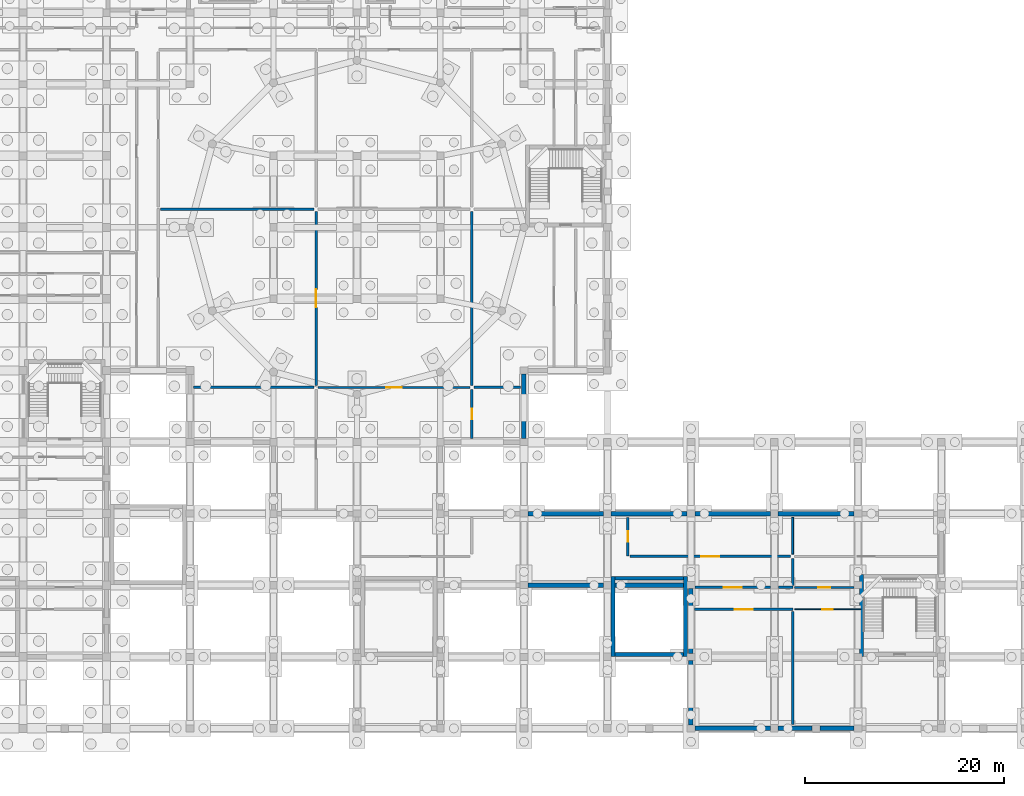
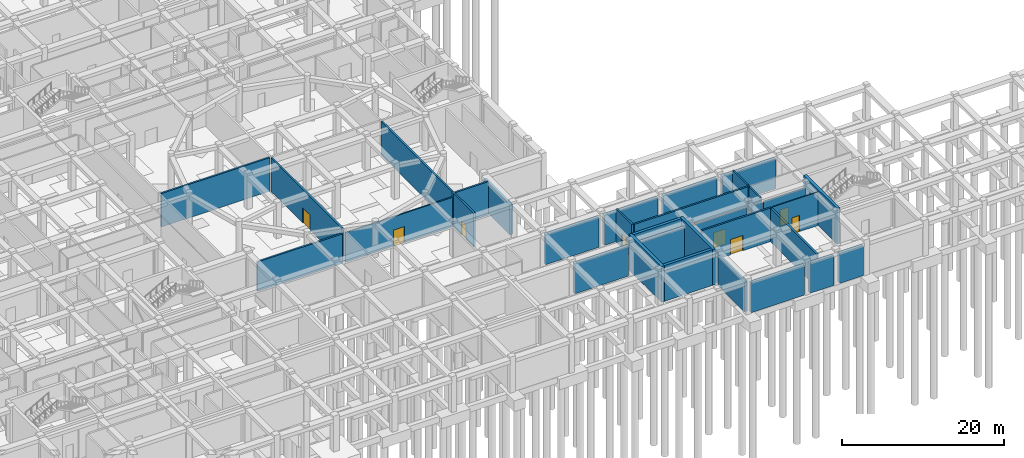
# One storey, part 20 of 32: 34 walls, 9 doors, 9 openings.
"""IFC4 building model written with IfcOpenShell, lengths in metres."""

from ifc_helpers import new_model, si_unit, derived_unit, direction, frame, frame_2d, origin, place, context, subcontext, project, spatial, rectangle, extrude, material, layer, layer_set, type_object, element, fill, save


model = new_model("IFC4")

# Units and contexts
model_context = context("Model", 3, precision=1e-05, world=origin(), true_north=direction((0.0, 1.0)))
body_context = subcontext(model_context, "Body", "Model", "MODEL_VIEW")
ifc_project = project(units=[si_unit("LENGTHUNIT", "METRE"), si_unit("AREAUNIT", "SQUARE_METRE"), si_unit("VOLUMEUNIT", "CUBIC_METRE"), si_unit("PLANEANGLEUNIT", "RADIAN"), si_unit("MASSUNIT", "GRAM", prefix="KILO"), derived_unit("THERMALTRANSMITTANCEUNIT", [(si_unit("POWERUNIT", "WATT"), 1), (si_unit("LENGTHUNIT", "METRE"), -2), (si_unit("THERMODYNAMICTEMPERATUREUNIT", "KELVIN"), -1)])], contexts=[model_context])

# Site, building, storey
site_placement = place(None, origin())
site = spatial("IfcSite", under=ifc_project, at=site_placement, CompositionType="ELEMENT")
building_placement = place(site_placement, origin())
building = spatial("IfcBuilding", under=site, at=building_placement, Name="Veybourne Emporium", CompositionType="ELEMENT")
storey_placement = place(building_placement, frame((0.0, 0.0, -5.39990234375)))
storey = spatial("IfcBuildingStorey", under=building, at=storey_placement, Name="B1", CompositionType="ELEMENT", Elevation=-5.39990234375)

# Walls
ifc_material_1 = material(Name="Concrete C40/50", Category="concrete")
ifc_layer_1 = layer(ifc_material_1, 0.449951171875)
ifc_layer_set_1 = layer_set([ifc_layer_1], Name="Concrete C40/50")
wall_type_1 = type_object("IfcWallType", Name="ExtWall_RW-01", PredefinedType="USERDEFINED", material=ifc_layer_set_1)
wall_1_placement = place(storey_placement, frame((92.39990234375, 35.64990234375, 0.0), z_axis=(0.0, 0.0, 1.0), x_axis=(0.0, -1.0, 0.0)))
element("IfcWall", 1, at=wall_1_placement, inside=storey, type_object=wall_type_1, Name="Basement perimeter retaining wall 050", ObjectType="RETAININGWALL", PredefinedType="USERDEFINED", context=body_context, shape_type="SweptSolid", body=[
    extrude(rectangle(XDim=6.5, YDim=0.449951171875, at=frame_2d((3.25, 0.0))), origin(), (0.0, 0.0, 1.0), 4.5),
])
for number, where, z_axis, x_axis, name in (
    (2, (100.425048828125, 14.39990234375, 0.0), (0.0, 0.0, 1.0), (-1.0, 0.0, 0.0), "Basement perimeter retaining wall 052"),
    (3, (92.800048828125, 21.60009765625, 0.0), (0.0, 0.0, 1.0), (1.0, 0.0, 0.0), "Basement perimeter retaining wall 053"),
):
    element("IfcWall", number, at=place(storey_placement, frame(where, z_axis=z_axis, x_axis=x_axis)), inside=storey, type_object=wall_type_1, Name=name, ObjectType="RETAININGWALL", PredefinedType="USERDEFINED", context=body_context, shape_type="SweptSolid", body=[
        extrude(rectangle(XDim=7.625, YDim=0.449951171875, at=frame_2d((3.8125, 0.0))), origin(), (0.0, 0.0, 1.0), 4.5),
    ])
wall_2_placement = place(storey_placement, frame((108.425048828125, 14.39990234375, 0.0), z_axis=(0.0, 0.0, 1.0), x_axis=(-1.0, 0.0, 0.0)))
element("IfcWall", 4, at=wall_2_placement, inside=storey, type_object=wall_type_1, Name="Basement perimeter retaining wall 064", ObjectType="RETAININGWALL", PredefinedType="USERDEFINED", context=body_context, shape_type="SweptSolid", body=[
    extrude(rectangle(XDim=6.85009765625, YDim=0.449951171875, at=frame_2d((3.425048828125, 0.0))), origin(), (0.0, 0.0, 1.0), 4.5),
])
for number, where, z_axis, x_axis, name in (
    (5, (101.175048828125, 21.60009765625, 0.0), (0.0, 0.0, 1.0), (1.0, 0.0, 0.0), "Basement perimeter retaining wall 065"),
    (6, (117.22509765625, 0.0, 0.0), (0.0, 0.0, 1.0), (-1.0, 0.0, 0.0), "Basement perimeter retaining wall 070"),
):
    element("IfcWall", number, at=place(storey_placement, frame(where, z_axis=z_axis, x_axis=x_axis)), inside=storey, type_object=wall_type_1, Name=name, ObjectType="RETAININGWALL", PredefinedType="USERDEFINED", context=body_context, shape_type="SweptSolid", body=[
        extrude(rectangle(XDim=7.625, YDim=0.449951171875, at=frame_2d((3.8125, 0.0))), origin(), (0.0, 0.0, 1.0), 4.5),
    ])
for number, where, z_axis, x_axis, name in (
    (7, (109.199951171875, 0.35009765625, 0.0), (0.0, 0.0, 1.0), (0.0, 1.0, 0.0), "Basement perimeter retaining wall 071"),
    (8, (109.199951171875, 7.550048828125, 0.0), (0.0, 0.0, 1.0), (0.0, 1.0, 0.0), "Basement perimeter retaining wall 072"),
):
    element("IfcWall", number, at=place(storey_placement, frame(where, z_axis=z_axis, x_axis=x_axis)), inside=storey, type_object=wall_type_1, Name=name, ObjectType="RETAININGWALL", PredefinedType="USERDEFINED", context=body_context, shape_type="SweptSolid", body=[
        extrude(rectangle(XDim=6.5, YDim=0.449951171875, at=frame_2d((3.25, 0.0))), origin(), (0.0, 0.0, 1.0), 4.5),
    ])
wall_3_placement = place(storey_placement, frame((109.60009765625, 21.60009765625, 0.0), z_axis=(0.0, 0.0, 1.0), x_axis=(1.0, 0.0, 0.0)))
element("IfcWall", 9, at=wall_3_placement, inside=storey, type_object=wall_type_1, Name="Basement perimeter retaining wall 073", ObjectType="RETAININGWALL", PredefinedType="USERDEFINED", context=body_context, shape_type="SweptSolid", body=[
    extrude(rectangle(XDim=7.625, YDim=0.449951171875, at=frame_2d((3.8125, 0.0))), origin(), (0.0, 0.0, 1.0), 4.5),
])
wall_4_placement = place(storey_placement, frame((125.60009765625, 0.0, 0.0), z_axis=(0.0, 0.0, 1.0), x_axis=(-1.0, 0.0, 0.0)))
element("IfcWall", 10, at=wall_4_placement, inside=storey, type_object=wall_type_1, Name="Basement perimeter retaining wall 074A", ObjectType="RETAININGWALL", PredefinedType="USERDEFINED", context=body_context, shape_type="SweptSolid", body=[
    extrude(rectangle(XDim=3.400146484375, YDim=0.449951171875, at=frame_2d((1.7001953125, 0.0))), origin(), (0.0, 0.0, 1.0), 4.5),
])
wall_5_placement = place(storey_placement, frame((121.39990234375, 0.0, 0.0), z_axis=(0.0, 0.0, 1.0), x_axis=(-1.0, 0.0, 0.0)))
element("IfcWall", 11, at=wall_5_placement, inside=storey, type_object=wall_type_1, Name="Basement perimeter retaining wall 074B", ObjectType="RETAININGWALL", PredefinedType="USERDEFINED", context=body_context, shape_type="SweptSolid", body=[
    extrude(rectangle(XDim=3.4248046875, YDim=0.449951171875, at=frame_2d((1.71240234375, 0.0))), origin(), (0.0, 0.0, 1.0), 4.5),
])
wall_6_placement = place(storey_placement, frame((117.97509765625, 21.60009765625, 0.0), z_axis=(0.0, 0.0, 1.0), x_axis=(1.0, 0.0, 0.0)))
element("IfcWall", 12, at=wall_6_placement, inside=storey, type_object=wall_type_1, Name="Basement perimeter retaining wall 075", ObjectType="RETAININGWALL", PredefinedType="USERDEFINED", context=body_context, shape_type="SweptSolid", body=[
    extrude(rectangle(XDim=7.625, YDim=0.449951171875, at=frame_2d((3.8125, 0.0))), origin(), (0.0, 0.0, 1.0), 4.5),
])
ifc_layer_2 = layer(ifc_material_1, 0.39990234375)
ifc_layer_set_2 = layer_set([ifc_layer_2], Name="Concrete C40/50")
wall_type_2 = type_object("IfcWallType", Name="IntWall_CW-01", PredefinedType="SHEAR", material=ifc_layer_set_2)
wall_7_placement = place(storey_placement, frame((126.35009765625, 15.5, 0.0), z_axis=(0.0, 0.0, 1.0), x_axis=(0.0, -1.0, 0.0)))
element("IfcWall", 13, at=wall_7_placement, inside=storey, type_object=wall_type_2, Name="Core stair ST-06 west shear wall (B1)", PredefinedType="SHEAR", context=body_context, shape_type="SweptSolid", body=[
    extrude(rectangle(XDim=8.25, YDim=0.39990234375, at=frame_2d((4.125, 0.0))), origin(), (0.0, 0.0, 1.0), 5.39990234375),
])
for number, where, z_axis, x_axis, name in (
    (14, (108.449951171875, 7.449951171875, 0.0), (0.0, 0.0, 1.0), (-1.0, 0.0, 0.0), "Core stair ST-11 south shear wall (B1)"),
    (15, (101.550048828125, 15.10009765625, 0.0), (0.0, 0.0, 1.0), (1.0, 0.0, 0.0), "Core stair ST-11 north shear wall (B1)"),
):
    element("IfcWall", number, at=place(storey_placement, frame(where, z_axis=z_axis, x_axis=x_axis)), inside=storey, type_object=wall_type_2, Name=name, PredefinedType="SHEAR", context=body_context, shape_type="SweptSolid", body=[
        extrude(rectangle(XDim=6.89990234375, YDim=0.39990234375, at=frame_2d((3.449951171875, 0.0))), origin(), (0.0, 0.0, 1.0), 5.39990234375),
    ])
for number, where, z_axis, x_axis, name in (
    (16, (101.35009765625, 15.300048828125, 0.0), (0.0, 0.0, 1.0), (0.0, -1.0, 0.0), "Core stair ST-11 west shear wall (B1)"),
    (17, (108.64990234375, 7.25, 0.0), (0.0, 0.0, 1.0), (0.0, 1.0, 0.0), "Core stair ST-11 east shear wall (B1)"),
):
    element("IfcWall", number, at=place(storey_placement, frame(where, z_axis=z_axis, x_axis=x_axis)), inside=storey, type_object=wall_type_2, Name=name, PredefinedType="SHEAR", context=body_context, shape_type="SweptSolid", body=[
        extrude(rectangle(XDim=8.050048828125, YDim=0.39990234375, at=frame_2d((4.02490234375, 0.0))), origin(), (0.0, 0.0, 1.0), 5.39990234375),
    ])

# Wall, opening, door
ifc_material_2 = material(Name="Concrete C32/40", Category="concrete")
ifc_layer_3 = layer(ifc_material_2, 0.25)
ifc_layer_set_3 = layer_set([ifc_layer_3], Name="Concrete C32/40")
wall_type_3 = type_object("IfcWallType", Name="IntWall_FW-01", PredefinedType="SOLIDWALL", material=ifc_layer_set_3)
wall_8_placement = place(storey_placement, frame((109.570068359375, 11.969970703125, 0.0), z_axis=(0.0, 0.0, 1.0), x_axis=(1.0, 0.0, 0.0)))
wall_8 = element("IfcWall", 18, at=wall_8_placement, inside=storey, type_object=wall_type_3, Name="B1 interior partition FW-01 #050", PredefinedType="SOLIDWALL", context=body_context, shape_type="SweptSolid", body=[
    extrude(rectangle(XDim=9.909912109375, YDim=0.25, at=frame_2d((4.955078125, 0.0))), origin(), (0.0, 0.0, 1.0), 5.0498046875),
])
opening_1_placement = place(wall_8_placement, frame((4.054931640625, 0.0, 0.0)))
opening_1 = element("IfcOpeningElement", 19, at=opening_1_placement, cuts=wall_8, Name="Opening FD-03", PredefinedType="OPENING", context=body_context, shape_type="SweptSolid", body=[
    extrude(rectangle(XDim=1.800048828125, YDim=2.300048828125, at=frame_2d((0.89990234375, 1.14990234375))), frame((0.0, 0.14501953125, 0.0), z_axis=(0.0, -1.0, 0.0), x_axis=(1.0, 0.0, 0.0)), (0.0, 0.0, 1.0), 0.2900390625),
])
ifc_material_3 = material(Name="Patinated Architectural Bronze", Category="bronze")
door_type_1 = type_object("IfcDoorType", Name="FireDoor_FD-03", OperationType="DOUBLE_DOOR_SINGLE_SWING", PredefinedType="DOOR", material=ifc_material_3)
door_1_placement = place(opening_1_placement, origin())
door_1 = element("IfcDoor", 20, at=door_1_placement, inside=storey, type_object=door_type_1, Name="B1 interior door FD-03 (PART-B1-050)", OperationType="DOUBLE_DOOR_SINGLE_SWING", OverallHeight=2.300048828125, OverallWidth=1.800048828125, PredefinedType="DOOR", context=body_context, shape_type="SweptSolid", body=[
    extrude(rectangle(XDim=1.800048828125, YDim=2.300048828125, at=frame_2d((0.89990234375, 1.14990234375))), frame((0.0, 0.02490234375, 0.0), z_axis=(0.0, -1.0, 0.0), x_axis=(1.0, 0.0, 0.0)), (0.0, 0.0, 1.0), 0.050048828125),
])
fill(opening_1, door_1)

wall_9_placement = place(storey_placement, frame((109.6201171875, 14.179931640625, 0.0), z_axis=(0.0, 0.0, 1.0), x_axis=(1.0, 0.0, 0.0)))
wall_9 = element("IfcWall", 21, at=wall_9_placement, inside=storey, type_object=wall_type_3, Name="B1 interior partition FW-01 #051", PredefinedType="SOLIDWALL", context=body_context, shape_type="SweptSolid", body=[
    extrude(rectangle(XDim=7.5849609375, YDim=0.25, at=frame_2d((3.79248046875, 0.0))), origin(), (0.0, 0.0, 1.0), 4.5498046875),
])
opening_2_placement = place(wall_9_placement, frame((2.892578125, 0.0, 0.0)))
opening_2 = element("IfcOpeningElement", 22, at=opening_2_placement, cuts=wall_9, Name="Opening FD-03", PredefinedType="OPENING", context=body_context, shape_type="SweptSolid", body=[
    extrude(rectangle(XDim=1.800048828125, YDim=2.300048828125, at=frame_2d((0.89990234375, 1.14990234375))), frame((0.0, 0.14501953125, 0.0), z_axis=(0.0, -1.0, 0.0), x_axis=(1.0, 0.0, 0.0)), (0.0, 0.0, 1.0), 0.2900390625),
])
door_2_placement = place(opening_2_placement, origin())
door_2 = element("IfcDoor", 23, at=door_2_placement, inside=storey, type_object=door_type_1, Name="B1 interior door FD-03 (PART-B1-051)", OperationType="DOUBLE_DOOR_SINGLE_SWING", OverallHeight=2.300048828125, OverallWidth=1.800048828125, PredefinedType="DOOR", context=body_context, shape_type="SweptSolid", body=[
    extrude(rectangle(XDim=1.800048828125, YDim=2.300048828125, at=frame_2d((0.89990234375, 1.14990234375))), frame((0.0, 0.02490234375, 0.0), z_axis=(0.0, -1.0, 0.0), x_axis=(1.0, 0.0, 0.0)), (0.0, 0.0, 1.0), 0.050048828125),
])
fill(opening_2, door_2)

# Wall
wall_10_placement = place(storey_placement, frame((117.9951171875, 14.179931640625, 0.0), z_axis=(0.0, 0.0, 1.0), x_axis=(1.0, 0.0, 0.0)))
element("IfcWall", 24, at=wall_10_placement, inside=storey, type_object=wall_type_3, Name="B1 interior partition FW-01 #052", PredefinedType="SOLIDWALL", context=body_context, shape_type="SweptSolid", body=[
    extrude(rectangle(XDim=1.48486328125, YDim=0.25, at=frame_2d((0.742431640625, 0.0))), origin(), (0.0, 0.0, 1.0), 4.5498046875),
])

# Wall, opening, door
wall_11_placement = place(storey_placement, frame((71.47998046875, 34.5048828125, 0.0), z_axis=(0.0, 0.0, 1.0), x_axis=(0.0, 1.0, 0.0)))
wall_11 = element("IfcWall", 25, at=wall_11_placement, inside=storey, type_object=wall_type_3, Name="B1 interior partition FW-01 #138", PredefinedType="SOLIDWALL", context=body_context, shape_type="SweptSolid", body=[
    extrude(rectangle(XDim=17.51513671875, YDim=0.25, at=frame_2d((8.757568359375, 0.0))), origin(), (0.0, 0.0, 1.0), 5.0498046875),
])
opening_3_placement = place(wall_11_placement, frame((7.857421875, 0.0, 0.0)))
opening_3 = element("IfcOpeningElement", 26, at=opening_3_placement, cuts=wall_11, Name="Opening FD-03", PredefinedType="OPENING", context=body_context, shape_type="SweptSolid", body=[
    extrude(rectangle(XDim=1.800048828125, YDim=2.300048828125, at=frame_2d((0.89990234375, 1.14990234375))), frame((0.0, 0.14501953125, 0.0), z_axis=(0.0, -1.0, 0.0), x_axis=(1.0, 0.0, 0.0)), (0.0, 0.0, 1.0), 0.2900390625),
])
door_3_placement = place(opening_3_placement, origin())
door_3 = element("IfcDoor", 27, at=door_3_placement, inside=storey, type_object=door_type_1, Name="B1 interior door FD-03 (PART-B1-138)", OperationType="DOUBLE_DOOR_SINGLE_SWING", OverallHeight=2.300048828125, OverallWidth=1.800048828125, PredefinedType="DOOR", context=body_context, shape_type="SweptSolid", body=[
    extrude(rectangle(XDim=1.800048828125, YDim=2.300048828125, at=frame_2d((0.89990234375, 1.14990234375))), frame((0.0, 0.02490234375, 0.0), z_axis=(0.0, -1.0, 0.0), x_axis=(1.0, 0.0, 0.0)), (0.0, 0.0, 1.0), 0.050048828125),
])
fill(opening_3, door_3)

# Wall
wall_12_placement = place(storey_placement, frame((87.169921875, 34.5048828125, 0.0), z_axis=(0.0, 0.0, 1.0), x_axis=(0.0, 1.0, 0.0)))
element("IfcWall", 28, at=wall_12_placement, inside=storey, type_object=wall_type_3, Name="B1 interior partition FW-01 #139", PredefinedType="SOLIDWALL", context=body_context, shape_type="SweptSolid", body=[
    extrude(rectangle(XDim=17.51513671875, YDim=0.25, at=frame_2d((8.757568359375, 0.0))), origin(), (0.0, 0.0, 1.0), 5.0498046875),
])

# Wall, opening, door
wall_13_placement = place(storey_placement, frame((103.070068359375, 17.306884765625, 0.0), z_axis=(0.0, 0.0, 1.0), x_axis=(1.0, 0.0, 0.0)))
wall_13 = element("IfcWall", 29, at=wall_13_placement, inside=storey, type_object=wall_type_3, Name="B1 interior partition FW-01 #141", PredefinedType="SOLIDWALL", context=body_context, shape_type="SweptSolid", body=[
    extrude(rectangle(XDim=16.14990234375, YDim=0.25, at=frame_2d((8.074951171875, 0.0))), origin(), (0.0, 0.0, 1.0), 5.0498046875),
])
opening_4_placement = place(wall_13_placement, frame((7.175048828125, 0.0, 0.0)))
opening_4 = element("IfcOpeningElement", 30, at=opening_4_placement, cuts=wall_13, Name="Opening FD-03", PredefinedType="OPENING", context=body_context, shape_type="SweptSolid", body=[
    extrude(rectangle(XDim=1.800048828125, YDim=2.300048828125, at=frame_2d((0.89990234375, 1.14990234375))), frame((0.0, 0.14501953125, 0.0), z_axis=(0.0, -1.0, 0.0), x_axis=(1.0, 0.0, 0.0)), (0.0, 0.0, 1.0), 0.2900390625),
])
door_4_placement = place(opening_4_placement, origin())
door_4 = element("IfcDoor", 31, at=door_4_placement, inside=storey, type_object=door_type_1, Name="B1 interior door FD-03 (PART-B1-141)", OperationType="DOUBLE_DOOR_SINGLE_SWING", OverallHeight=2.300048828125, OverallWidth=1.800048828125, PredefinedType="DOOR", context=body_context, shape_type="SweptSolid", body=[
    extrude(rectangle(XDim=1.800048828125, YDim=2.300048828125, at=frame_2d((0.89990234375, 1.14990234375))), frame((0.0, 0.02490234375, 0.0), z_axis=(0.0, -1.0, 0.0), x_axis=(1.0, 0.0, 0.0)), (0.0, 0.0, 1.0), 0.050048828125),
])
fill(opening_4, door_4)

# Walls
wall_14_placement = place(storey_placement, frame((55.840087890625, 52.22998046875, 0.0), z_axis=(0.0, 0.0, 1.0), x_axis=(1.0, 0.0, 0.0)))
element("IfcWall", 32, at=wall_14_placement, inside=storey, type_object=wall_type_3, Name="B1 interior partition FW-01 #147", PredefinedType="SOLIDWALL", context=body_context, shape_type="SweptSolid", body=[
    extrude(rectangle(XDim=15.429931640625, YDim=0.25, at=frame_2d((7.71484375, 0.0))), origin(), (0.0, 0.0, 1.0), 5.0498046875),
])
wall_15_placement = place(storey_placement, frame((59.169921875, 34.294921875, 0.0), z_axis=(0.0, 0.0, 1.0), x_axis=(1.0, 0.0, 0.0)))
element("IfcWall", 33, at=wall_15_placement, inside=storey, type_object=wall_type_3, Name="B1 interior partition FW-01 #157", PredefinedType="SOLIDWALL", context=body_context, shape_type="SweptSolid", body=[
    extrude(rectangle(XDim=12.10009765625, YDim=0.25, at=frame_2d((6.050048828125, 0.0))), origin(), (0.0, 0.0, 1.0), 4.449951171875),
])
wall_16_placement = place(storey_placement, frame((119.429931640625, 0.3701171875, 0.0), z_axis=(0.0, 0.0, 1.0), x_axis=(0.0, 1.0, 0.0)))
element("IfcWall", 34, at=wall_16_placement, inside=storey, type_object=wall_type_3, Name="B1 interior partition FW-01 #159", PredefinedType="SOLIDWALL", context=body_context, shape_type="SweptSolid", body=[
    extrude(rectangle(XDim=11.389892578125, YDim=0.25, at=frame_2d((5.69482421875, 0.0))), origin(), (0.0, 0.0, 1.0), 5.0498046875),
])

# Wall, opening, door
wall_17_placement = place(storey_placement, frame((87.169921875, 29.169921875, 0.0), z_axis=(0.0, 0.0, 1.0), x_axis=(0.0, 1.0, 0.0)))
wall_17 = element("IfcWall", 35, at=wall_17_placement, inside=storey, type_object=wall_type_3, Name="B1 interior partition FW-01 #167", PredefinedType="SOLIDWALL", context=body_context, shape_type="SweptSolid", body=[
    extrude(rectangle(XDim=4.9150390625, YDim=0.25, at=frame_2d((2.45751953125, 0.0))), origin(), (0.0, 0.0, 1.0), 5.0498046875),
])
opening_5_placement = place(wall_17_placement, frame((1.9326171875, 0.0, 0.0)))
opening_5 = element("IfcOpeningElement", 36, at=opening_5_placement, cuts=wall_17, Name="Opening FD-02", PredefinedType="OPENING", context=body_context, shape_type="SweptSolid", body=[
    extrude(rectangle(XDim=1.050048828125, YDim=2.14990234375, at=frame_2d((0.52490234375, 1.074951171875))), frame((0.0, 0.14501953125, 0.0), z_axis=(0.0, -1.0, 0.0), x_axis=(1.0, 0.0, 0.0)), (0.0, 0.0, 1.0), 0.2900390625),
])
door_type_2 = type_object("IfcDoorType", Name="FireDoor_FD-02", OperationType="NOTDEFINED", PredefinedType="DOOR", material=ifc_material_3)
door_5_placement = place(opening_5_placement, origin())
door_5 = element("IfcDoor", 37, at=door_5_placement, inside=storey, type_object=door_type_2, Name="B1 interior door FD-02 (PART-B1-167)", OperationType="SINGLE_SWING_RIGHT", OverallHeight=2.14990234375, OverallWidth=1.050048828125, PredefinedType="DOOR", context=body_context, shape_type="SweptSolid", body=[
    extrude(rectangle(XDim=1.050048828125, YDim=2.14990234375, at=frame_2d((0.52490234375, 1.074951171875))), frame((0.0, 0.02490234375, 0.0), z_axis=(0.0, -1.0, 0.0), x_axis=(1.0, 0.0, 0.0)), (0.0, 0.0, 1.0), 0.050048828125),
])
fill(opening_5, door_5)

# Wall
wall_18_placement = place(storey_placement, frame((87.3798828125, 34.294921875, 0.0), z_axis=(0.0, 0.0, 1.0), x_axis=(1.0, 0.0, 0.0)))
element("IfcWall", 38, at=wall_18_placement, inside=storey, type_object=wall_type_3, Name="B1 interior partition FW-01 #169", PredefinedType="SOLIDWALL", context=body_context, shape_type="SweptSolid", body=[
    extrude(rectangle(XDim=4.650146484375, YDim=0.25, at=frame_2d((2.3251953125, 0.0))), origin(), (0.0, 0.0, 1.0), 5.0498046875),
])

# Wall, opening, door
wall_19_placement = place(storey_placement, frame((102.860107421875, 17.35693359375, 0.0), z_axis=(0.0, 0.0, 1.0), x_axis=(0.0, 1.0, 0.0)))
wall_19 = element("IfcWall", 39, at=wall_19_placement, inside=storey, type_object=wall_type_3, Name="B1 interior partition FW-01 #171", PredefinedType="SOLIDWALL", context=body_context, shape_type="SweptSolid", body=[
    extrude(rectangle(XDim=3.873046875, YDim=0.25, at=frame_2d((1.9365234375, 0.0))), origin(), (0.0, 0.0, 1.0), 5.0498046875),
])
opening_6_placement = place(wall_19_placement, frame((1.41162109375, 0.0, 0.0)))
opening_6 = element("IfcOpeningElement", 40, at=opening_6_placement, cuts=wall_19, Name="Opening FD-02", PredefinedType="OPENING", context=body_context, shape_type="SweptSolid", body=[
    extrude(rectangle(XDim=1.050048828125, YDim=2.14990234375, at=frame_2d((0.52490234375, 1.074951171875))), frame((0.0, 0.14501953125, 0.0), z_axis=(0.0, -1.0, 0.0), x_axis=(1.0, 0.0, 0.0)), (0.0, 0.0, 1.0), 0.2900390625),
])
door_6_placement = place(opening_6_placement, origin())
door_6 = element("IfcDoor", 41, at=door_6_placement, inside=storey, type_object=door_type_2, Name="B1 interior door FD-02 (PART-B1-171)", OperationType="SINGLE_SWING_LEFT", OverallHeight=2.14990234375, OverallWidth=1.050048828125, PredefinedType="DOOR", context=body_context, shape_type="SweptSolid", body=[
    extrude(rectangle(XDim=1.050048828125, YDim=2.14990234375, at=frame_2d((0.52490234375, 1.074951171875))), frame((0.0, 0.02490234375, 0.0), z_axis=(0.0, -1.0, 0.0), x_axis=(1.0, 0.0, 0.0)), (0.0, 0.0, 1.0), 0.050048828125),
])
fill(opening_6, door_6)

# Wall
wall_20_placement = place(storey_placement, frame((119.429931640625, 14.389892578125, 0.0), z_axis=(0.0, 0.0, 1.0), x_axis=(0.0, 1.0, 0.0)))
element("IfcWall", 42, at=wall_20_placement, inside=storey, type_object=wall_type_3, Name="B1 interior partition FW-01 #176", PredefinedType="SOLIDWALL", context=body_context, shape_type="SweptSolid", body=[
    extrude(rectangle(XDim=2.70703125, YDim=0.25, at=frame_2d((1.353515625, 0.0))), origin(), (0.0, 0.0, 1.0), 5.0498046875),
])

# Wall, opening, door
ifc_material_4 = material(Name="Gypsum Acoustic Board", Category="gypsum")
ifc_layer_4 = layer(ifc_material_4, 0.179931640625)
ifc_layer_set_4 = layer_set([ifc_layer_4], Name="Gypsum Acoustic Board")
wall_type_4 = type_object("IfcWallType", Name="IntWall_IW-01", PredefinedType="PARTITIONING", material=ifc_layer_set_4)
wall_21_placement = place(storey_placement, frame((119.639892578125, 14.179931640625, 0.0), z_axis=(0.0, 0.0, 1.0), x_axis=(1.0, 0.0, 0.0)))
wall_21 = element("IfcWall", 43, at=wall_21_placement, inside=storey, type_object=wall_type_4, Name="B1 interior partition IW-01 #069", PredefinedType="PARTITIONING", context=body_context, shape_type="SweptSolid", body=[
    extrude(rectangle(XDim=5.940185546875, YDim=0.179931640625, at=frame_2d((2.97021484375, 0.0))), origin(), (0.0, 0.0, 1.0), 4.5498046875),
])
opening_7_placement = place(wall_21_placement, frame((2.3701171875, 0.0, 0.0)))
opening_7 = element("IfcOpeningElement", 44, at=opening_7_placement, cuts=wall_21, Name="Opening D-33", PredefinedType="OPENING", context=body_context, shape_type="SweptSolid", body=[
    extrude(rectangle(XDim=1.199951171875, YDim=2.449951171875, at=frame_2d((0.60009765625, 1.22509765625))), frame((0.0, 0.10986328125, 0.0), z_axis=(0.0, -1.0, 0.0), x_axis=(1.0, 0.0, 0.0)), (0.0, 0.0, 1.0), 0.219970703125),
])
ifc_material_5 = material(Name="European Oak Veneer and Bronze", Category="wood")
door_type_3 = type_object("IfcDoorType", Name="IntDoor_D-33", OperationType="NOTDEFINED", PredefinedType="DOOR", material=ifc_material_5)
door_7_placement = place(opening_7_placement, origin())
door_7 = element("IfcDoor", 45, at=door_7_placement, inside=storey, type_object=door_type_3, Name="B1 interior door D-33 (PART-B1-069)", OperationType="SINGLE_SWING_RIGHT", OverallHeight=2.449951171875, OverallWidth=1.199951171875, PredefinedType="DOOR", context=body_context, shape_type="SweptSolid", body=[
    extrude(rectangle(XDim=1.199951171875, YDim=2.449951171875, at=frame_2d((0.60009765625, 1.22509765625))), frame((0.0, 0.02490234375, 0.0), z_axis=(0.0, -1.0, 0.0), x_axis=(1.0, 0.0, 0.0)), (0.0, 0.0, 1.0), 0.050048828125),
])
fill(opening_7, door_7)

ifc_layer_5 = layer(ifc_material_4, 0.1201171875)
ifc_layer_set_5 = layer_set([ifc_layer_5], Name="Gypsum Acoustic Board")
wall_type_5 = type_object("IfcWallType", Name="IntWall_IW-03", PredefinedType="PARTITIONING", material=ifc_layer_set_5)
wall_22_placement = place(storey_placement, frame((119.639892578125, 11.969970703125, 0.0), z_axis=(0.0, 0.0, 1.0), x_axis=(1.0, 0.0, 0.0)))
wall_22 = element("IfcWall", 46, at=wall_22_placement, inside=storey, type_object=wall_type_5, Name="B1 interior partition IW-03 #068", PredefinedType="PARTITIONING", context=body_context, shape_type="SweptSolid", body=[
    extrude(rectangle(XDim=6.6201171875, YDim=0.1201171875, at=frame_2d((3.31005859375, 0.0))), origin(), (0.0, 0.0, 1.0), 5.0498046875),
])
opening_8_placement = place(wall_22_placement, frame((2.7900390625, 0.0, 0.0)))
opening_8 = element("IfcOpeningElement", 47, at=opening_8_placement, cuts=wall_22, Name="Opening D-32", PredefinedType="OPENING", context=body_context, shape_type="SweptSolid", body=[
    extrude(rectangle(XDim=1.0400390625, YDim=2.449951171875, at=frame_2d((0.52001953125, 1.22509765625))), frame((0.0, 0.080078125, 0.0), z_axis=(0.0, -1.0, 0.0), x_axis=(1.0, 0.0, 0.0)), (0.0, 0.0, 1.0), 0.16015625),
])
door_type_4 = type_object("IfcDoorType", Name="IntDoor_D-32", OperationType="NOTDEFINED", PredefinedType="DOOR", material=ifc_material_5)
door_8_placement = place(opening_8_placement, origin())
door_8 = element("IfcDoor", 48, at=door_8_placement, inside=storey, type_object=door_type_4, Name="B1 interior door D-32 (PART-B1-068)", OperationType="SINGLE_SWING_LEFT", OverallHeight=2.449951171875, OverallWidth=1.0400390625, PredefinedType="DOOR", context=body_context, shape_type="SweptSolid", body=[
    extrude(rectangle(XDim=1.0400390625, YDim=2.449951171875, at=frame_2d((0.52001953125, 1.22509765625))), frame((0.0, 0.02490234375, 0.0), z_axis=(0.0, -1.0, 0.0), x_axis=(1.0, 0.0, 0.0)), (0.0, 0.0, 1.0), 0.050048828125),
])
fill(opening_8, door_8)

ifc_layer_6 = layer(ifc_material_4, 0.199951171875)
ifc_layer_set_6 = layer_set([ifc_layer_6], Name="Gypsum Acoustic Board")
wall_type_6 = type_object("IfcWallType", Name="IntWall_IW-04", PredefinedType="PLUMBINGWALL", material=ifc_layer_set_6)
wall_23_placement = place(storey_placement, frame((71.68994140625, 34.294921875, 0.0), z_axis=(0.0, 0.0, 1.0), x_axis=(1.0, 0.0, 0.0)))
wall_23 = element("IfcWall", 49, at=wall_23_placement, inside=storey, type_object=wall_type_6, Name="B1 interior partition IW-04 #148", PredefinedType="PLUMBINGWALL", context=body_context, shape_type="SweptSolid", body=[
    extrude(rectangle(XDim=15.27001953125, YDim=0.199951171875, at=frame_2d((7.635009765625, 0.0))), origin(), (0.0, 0.0, 1.0), 4.449951171875),
])
opening_9_placement = place(wall_23_placement, frame((6.875, 0.0, 0.0)))
opening_9 = element("IfcOpeningElement", 50, at=opening_9_placement, cuts=wall_23, Name="Opening D-35", PredefinedType="OPENING", context=body_context, shape_type="SweptSolid", body=[
    extrude(rectangle(XDim=1.52001953125, YDim=2.449951171875, at=frame_2d((0.760009765625, 1.22509765625))), frame((0.0, 0.1201171875, 0.0), z_axis=(0.0, -1.0, 0.0), x_axis=(1.0, 0.0, 0.0)), (0.0, 0.0, 1.0), 0.239990234375),
])
door_type_5 = type_object("IfcDoorType", Name="IntDoor_D-35", OperationType="NOTDEFINED", PredefinedType="DOOR", material=ifc_material_5)
door_9_placement = place(opening_9_placement, origin())
door_9 = element("IfcDoor", 51, at=door_9_placement, inside=storey, type_object=door_type_5, Name="B1 interior door D-35 (PART-B1-148)", OperationType="SINGLE_SWING_RIGHT", OverallHeight=2.449951171875, OverallWidth=1.52001953125, PredefinedType="DOOR", context=body_context, shape_type="SweptSolid", body=[
    extrude(rectangle(XDim=1.52001953125, YDim=2.449951171875, at=frame_2d((0.760009765625, 1.22509765625))), frame((0.0, 0.02490234375, 0.0), z_axis=(0.0, -1.0, 0.0), x_axis=(1.0, 0.0, 0.0)), (0.0, 0.0, 1.0), 0.050048828125),
])
fill(opening_9, door_9)

# Wall
wall_24_placement = place(storey_placement, frame((119.429931640625, 17.51708984375, 0.0), z_axis=(0.0, 0.0, 1.0), x_axis=(0.0, 1.0, 0.0)))
element("IfcWall", 52, at=wall_24_placement, inside=storey, type_object=wall_type_6, Name="B1 interior partition IW-04 #173", PredefinedType="PLUMBINGWALL", context=body_context, shape_type="SweptSolid", body=[
    extrude(rectangle(XDim=3.712890625, YDim=0.199951171875, at=frame_2d((1.8564453125, 0.0))), origin(), (0.0, 0.0, 1.0), 5.0498046875),
])

save(model, "model.ifc")
